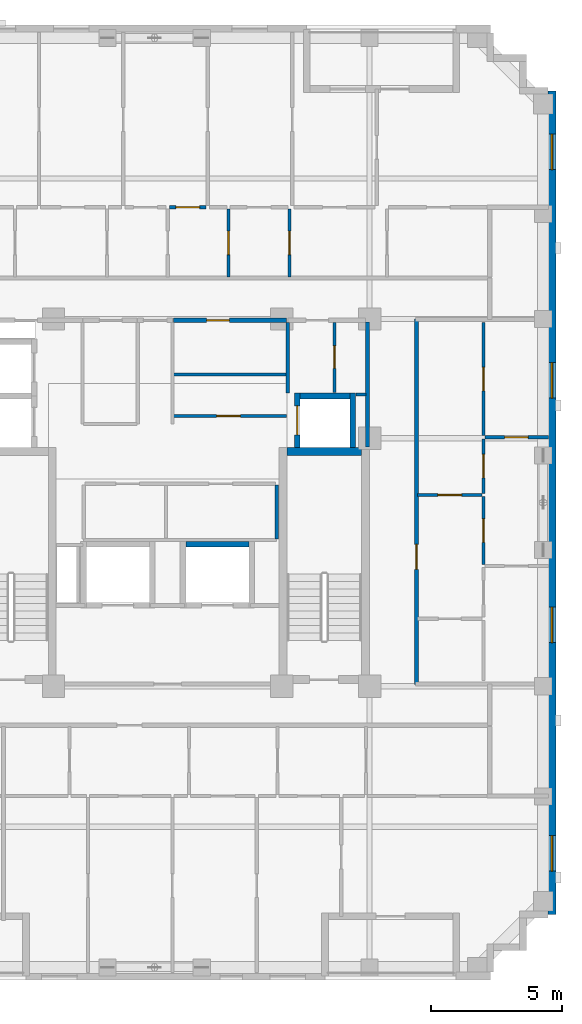
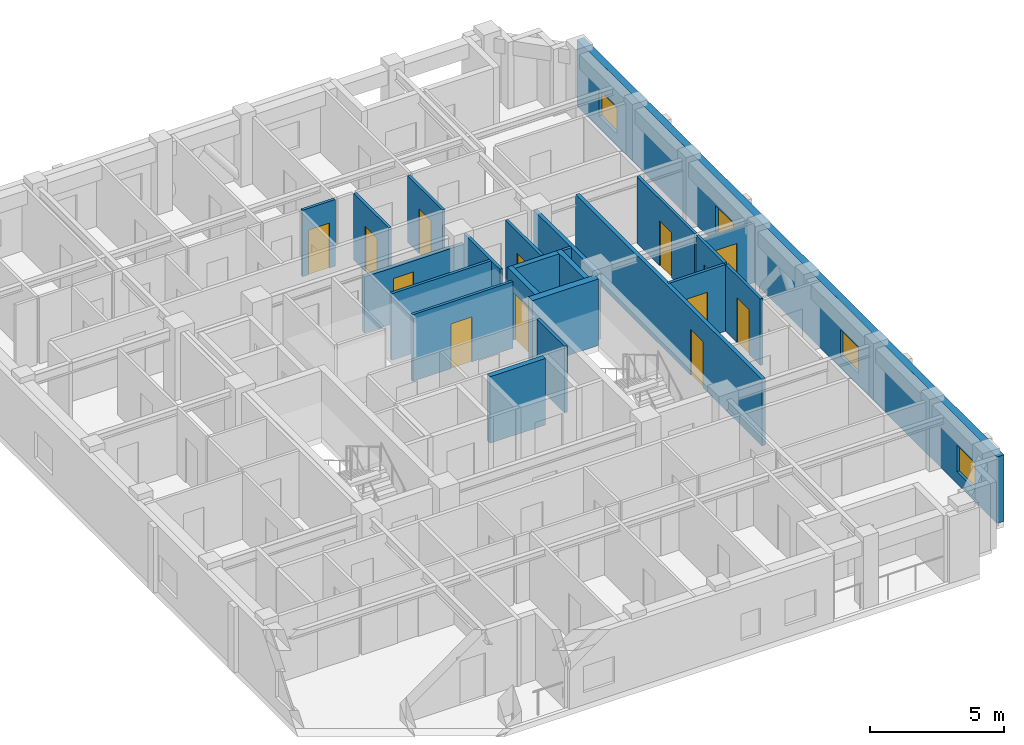
# One storey, part 6 of 11: 23 walls, 13 doors, 4 windows, 17 openings.
"""IFC4 building model written with IfcOpenShell, lengths in metres."""

from ifc_helpers import new_model, si_unit, derived_unit, direction, frame, frame_2d, origin, place, context, subcontext, project, spatial, rectangle, extrude, material, layer, layer_set, type_object, element, fill, save


model = new_model("IFC4")

# Units and contexts
model_context = context("Model", 3, precision=1e-05, world=origin(), true_north=direction((0.0, 1.0)))
body_context = subcontext(model_context, "Body", "Model", "MODEL_VIEW")
ifc_project = project(units=[si_unit("LENGTHUNIT", "METRE"), si_unit("AREAUNIT", "SQUARE_METRE"), si_unit("VOLUMEUNIT", "CUBIC_METRE"), si_unit("PLANEANGLEUNIT", "RADIAN"), si_unit("MASSUNIT", "GRAM", prefix="KILO"), derived_unit("THERMALTRANSMITTANCEUNIT", [(si_unit("MASSUNIT", "GRAM", prefix="KILO"), 1), (si_unit("TIMEUNIT", "SECOND"), -3), (si_unit("THERMODYNAMICTEMPERATUREUNIT", "KELVIN"), -1)])], contexts=[model_context])

# Site, building, storey
site_placement = place(None, origin())
site = spatial("IfcSite", under=ifc_project, at=site_placement, CompositionType="ELEMENT")
building_placement = place(site_placement, origin())
building = spatial("IfcBuilding", under=site, at=building_placement, Name="Korrvale Station Residences", CompositionType="ELEMENT")
storey_placement = place(building_placement, frame((0.0, 0.0, 194.199951171875)))
storey = spatial("IfcBuildingStorey", under=building, at=storey_placement, Name="L56", CompositionType="ELEMENT", Elevation=194.199951171875)

# Wall
ifc_material_1 = material(Name="Concrete C50/60", Category="concrete")
ifc_layer_1 = layer(ifc_material_1, 0.300048828125, Name="Concrete C50/60")
ifc_layer_set_1 = layer_set([ifc_layer_1], Name="Concrete C50/60")
wall_type_1 = type_object("IfcWallType", Name="WAL-CORE-300-C50", PredefinedType="SHEAR", material=ifc_layer_set_1)
wall_1_placement = place(storey_placement, frame((30.050048828125, 23.949951171875, 0.0), z_axis=(0.0, 0.0, 1.0), x_axis=(1.0, 0.0, 0.0)))
element("IfcWall", 1, at=wall_1_placement, inside=storey, type_object=wall_type_1, Name="L56 ST-2 Core Shear Wall North", PredefinedType="SHEAR", context=body_context, shape_type="SweptSolid", body=[
    extrude(rectangle(XDim=2.849853515625, YDim=0.300048828125, at=frame_2d((1.4248046875, 0.0))), origin(), (0.0, 0.0, 1.0), 3.0400390625),
])

# Wall, openings, windows
ifc_material_2 = material(Name="Precast concrete C45/55", Category="concrete")
ifc_layer_2 = layer(ifc_material_2, 0.300048828125, Name="Precast concrete C45/55")
ifc_layer_set_2 = layer_set([ifc_layer_2], Name="Precast concrete C45/55")
wall_type_2 = type_object("IfcWallType", Name="WAL-EXT-PC300", PredefinedType="SOLIDWALL", material=ifc_layer_set_2)
wall_2_placement = place(storey_placement, frame((40.14990234375, 37.699951171875, 0.0), z_axis=(0.0, 0.0, 1.0), x_axis=(0.0, -1.0, 0.0)))
wall_2 = element("IfcWall", 2, at=wall_2_placement, inside=storey, type_object=wall_type_2, Name="L56 East Exterior Precast Wall 1", PredefinedType="SOLIDWALL", context=body_context, shape_type="SweptSolid", body=[
    extrude(rectangle(XDim=31.39990234375, YDim=0.300048828125, at=frame_2d((15.699951171875, 0.0))), origin(), (0.0, 0.0, 1.0), 3.0400390625),
])
opening_1_placement = place(wall_2_placement, frame((28.39599609375, 0.0, 0.550048828125)))
opening_1 = element("IfcOpeningElement", 3, at=opening_1_placement, cuts=wall_2, Name="Opening W-10", PredefinedType="OPENING", context=body_context, shape_type="SweptSolid", body=[
    extrude(rectangle(XDim=1.35009765625, YDim=1.199951171875, at=frame_2d((0.675048828125, 0.60009765625))), frame((0.0, 0.16015625, 0.0), z_axis=(0.0, -1.0, 0.0), x_axis=(1.0, 0.0, 0.0)), (0.0, 0.0, 1.0), 0.320068359375),
])
opening_2_placement = place(wall_2_placement, frame((1.653076171875, 0.0, 0.550048828125)))
opening_2 = element("IfcOpeningElement", 4, at=opening_2_placement, cuts=wall_2, Name="Opening W-10", PredefinedType="OPENING", context=body_context, shape_type="SweptSolid", body=[
    extrude(rectangle(XDim=1.35009765625, YDim=1.199951171875, at=frame_2d((0.675048828125, 0.60009765625))), frame((0.0, 0.16015625, 0.0), z_axis=(0.0, -1.0, 0.0), x_axis=(1.0, 0.0, 0.0)), (0.0, 0.0, 1.0), 0.320068359375),
])
opening_3_placement = place(wall_2_placement, frame((19.68310546875, 0.0, 0.550048828125)))
opening_3 = element("IfcOpeningElement", 5, at=opening_3_placement, cuts=wall_2, Name="Opening W-10", PredefinedType="OPENING", context=body_context, shape_type="SweptSolid", body=[
    extrude(rectangle(XDim=1.35009765625, YDim=1.199951171875, at=frame_2d((0.675048828125, 0.60009765625))), frame((0.0, 0.16015625, 0.0), z_axis=(0.0, -1.0, 0.0), x_axis=(1.0, 0.0, 0.0)), (0.0, 0.0, 1.0), 0.320068359375),
])
opening_4_placement = place(wall_2_placement, frame((10.366943359375, 0.0, 0.550048828125)))
opening_4 = element("IfcOpeningElement", 6, at=opening_4_placement, cuts=wall_2, Name="Opening W-10", PredefinedType="OPENING", context=body_context, shape_type="SweptSolid", body=[
    extrude(rectangle(XDim=1.35009765625, YDim=1.199951171875, at=frame_2d((0.675048828125, 0.60009765625))), frame((0.0, 0.16015625, 0.0), z_axis=(0.0, -1.0, 0.0), x_axis=(1.0, 0.0, 0.0)), (0.0, 0.0, 1.0), 0.320068359375),
])
ifc_material_3 = material(Name="Thermally broken aluminium frame with triple low-e glazing", Category="aluminium")
window_type = type_object("IfcWindowType", Name="WIN-W10", PartitioningType="SINGLE_PANEL", PredefinedType="WINDOW", material=ifc_material_3)
window_1_placement = place(opening_1_placement, origin())
window_1 = element("IfcWindow", 7, at=window_1_placement, inside=storey, type_object=window_type, Name="L56 Punched Window 05", OverallHeight=1.199951171875, OverallWidth=1.35009765625, PartitioningType="SINGLE_PANEL", PredefinedType="WINDOW", context=body_context, shape_type="SweptSolid", body=[
    extrude(rectangle(XDim=1.35009765625, YDim=1.199951171875, at=frame_2d((0.675048828125, 0.60009765625))), frame((0.0, 0.030029296875, 0.0), z_axis=(0.0, -1.0, 0.0), x_axis=(1.0, 0.0, 0.0)), (0.0, 0.0, 1.0), 0.06005859375),
])
fill(opening_1, window_1)
window_2_placement = place(opening_2_placement, origin())
window_2 = element("IfcWindow", 8, at=window_2_placement, inside=storey, type_object=window_type, Name="L56 Punched Window 12", OverallHeight=1.199951171875, OverallWidth=1.35009765625, PartitioningType="SINGLE_PANEL", PredefinedType="WINDOW", context=body_context, shape_type="SweptSolid", body=[
    extrude(rectangle(XDim=1.35009765625, YDim=1.199951171875, at=frame_2d((0.675048828125, 0.60009765625))), frame((0.0, 0.030029296875, 0.0), z_axis=(0.0, -1.0, 0.0), x_axis=(1.0, 0.0, 0.0)), (0.0, 0.0, 1.0), 0.06005859375),
])
fill(opening_2, window_2)
window_3_placement = place(opening_3_placement, origin())
window_3 = element("IfcWindow", 9, at=window_3_placement, inside=storey, type_object=window_type, Name="L56 Punched Window 15", OverallHeight=1.199951171875, OverallWidth=1.35009765625, PartitioningType="SINGLE_PANEL", PredefinedType="WINDOW", context=body_context, shape_type="SweptSolid", body=[
    extrude(rectangle(XDim=1.35009765625, YDim=1.199951171875, at=frame_2d((0.675048828125, 0.60009765625))), frame((0.0, 0.030029296875, 0.0), z_axis=(0.0, -1.0, 0.0), x_axis=(1.0, 0.0, 0.0)), (0.0, 0.0, 1.0), 0.06005859375),
])
fill(opening_3, window_3)
window_4_placement = place(opening_4_placement, origin())
window_4 = element("IfcWindow", 10, at=window_4_placement, inside=storey, type_object=window_type, Name="L56 Punched Window 16", OverallHeight=1.199951171875, OverallWidth=1.35009765625, PartitioningType="SINGLE_PANEL", PredefinedType="WINDOW", context=body_context, shape_type="SweptSolid", body=[
    extrude(rectangle(XDim=1.35009765625, YDim=1.199951171875, at=frame_2d((0.675048828125, 0.60009765625))), frame((0.0, 0.030029296875, 0.0), z_axis=(0.0, -1.0, 0.0), x_axis=(1.0, 0.0, 0.0)), (0.0, 0.0, 1.0), 0.06005859375),
])
fill(opening_4, window_4)

# Walls
ifc_material_4 = material(Name="Acoustic steel-stud gypsum board partition", Category="steel")
ifc_layer_3 = layer(ifc_material_4, 0.1201171875, Name="Acoustic steel-stud gypsum board partition")
ifc_layer_set_3 = layer_set([ifc_layer_3], Name="Acoustic steel-stud gypsum board partition")
wall_type_3 = type_object("IfcWallType", Name="WAL-PART-125", PredefinedType="PARTITIONING", material=ifc_layer_set_3)
wall_3_placement = place(storey_placement, frame((30.080078125, 26.179931640625, 0.0), z_axis=(0.0, 0.0, 1.0), x_axis=(0.0, 1.0, 0.0)))
element("IfcWall", 11, at=wall_3_placement, inside=storey, type_object=wall_type_3, Name="L56 Core Partition CW-CS-W", PredefinedType="PARTITIONING", context=body_context, shape_type="SweptSolid", body=[
    extrude(rectangle(XDim=2.68017578125, YDim=0.1201171875, at=frame_2d((1.340087890625, 0.0))), origin(), (0.0, 0.0, 1.0), 3.0400390625),
])
wall_4_placement = place(storey_placement, frame((32.679931640625, 26.1201171875, 0.0), z_axis=(0.0, 0.0, 1.0), x_axis=(1.0, 0.0, 0.0)))
element("IfcWall", 12, at=wall_4_placement, inside=storey, type_object=wall_type_3, Name="L56 Core Partition CW-CS-S", PredefinedType="PARTITIONING", context=body_context, shape_type="SweptSolid", body=[
    extrude(rectangle(XDim=0.380126953125, YDim=0.1201171875, at=frame_2d((0.18994140625, 0.0))), origin(), (0.0, 0.0, 1.0), 3.0400390625),
])

# Wall, opening, door
wall_5_placement = place(storey_placement, frame((31.860107421875, 26.199951171875, 0.0), z_axis=(0.0, 0.0, 1.0), x_axis=(0.0, 1.0, 0.0)))
wall_5 = element("IfcWall", 13, at=wall_5_placement, inside=storey, type_object=wall_type_3, Name="L56 Core Partition CW-CS-MID", PredefinedType="PARTITIONING", context=body_context, shape_type="SweptSolid", body=[
    extrude(rectangle(XDim=2.66015625, YDim=0.1201171875, at=frame_2d((1.330078125, 0.0))), origin(), (0.0, 0.0, 1.0), 3.0400390625),
])
opening_5_placement = place(wall_5_placement, frame((0.919921875, 0.0, 0.0)))
opening_5 = element("IfcOpeningElement", 14, at=opening_5_placement, cuts=wall_5, Name="Opening DB-860", PredefinedType="OPENING", context=body_context, shape_type="SweptSolid", body=[
    extrude(rectangle(XDim=0.860107421875, YDim=2.050048828125, at=frame_2d((0.43017578125, 1.02490234375))), frame((0.0, 0.070068359375, 0.0), z_axis=(0.0, -1.0, 0.0), x_axis=(1.0, 0.0, 0.0)), (0.0, 0.0, 1.0), 0.14013671875),
])
ifc_material_5 = material(Name="Moisture-resistant solid-core bathroom door", Category="timber")
door_type_1 = type_object("IfcDoorType", Name="DR-BATH-860", OperationType="NOTDEFINED", PredefinedType="DOOR", material=ifc_material_5)
door_1_placement = place(opening_5_placement, origin())
door_1 = element("IfcDoor", 15, at=door_1_placement, inside=storey, type_object=door_type_1, Name="L56 Metering Inner Door", OperationType="SINGLE_SWING_RIGHT", OverallHeight=2.050048828125, OverallWidth=0.860107421875, PredefinedType="DOOR", context=body_context, shape_type="SweptSolid", body=[
    extrude(rectangle(XDim=0.860107421875, YDim=2.050048828125, at=frame_2d((0.43017578125, 1.02490234375))), frame((0.0, 0.02490234375, 0.0), z_axis=(0.0, -1.0, 0.0), x_axis=(1.0, 0.0, 0.0)), (0.0, 0.0, 1.0), 0.050048828125),
])
fill(opening_5, door_1)

# Wall
wall_6_placement = place(storey_placement, frame((25.719970703125, 26.8798828125, 0.0), z_axis=(0.0, 0.0, 1.0), x_axis=(1.0, 0.0, 0.0)))
element("IfcWall", 16, at=wall_6_placement, inside=storey, type_object=wall_type_3, Name="L56 Core Partition CW-FPLE-H", PredefinedType="PARTITIONING", context=body_context, shape_type="SweptSolid", body=[
    extrude(rectangle(XDim=4.320068359375, YDim=0.1201171875, at=frame_2d((2.16015625, 0.0))), origin(), (0.0, 0.0, 1.0), 3.0400390625),
])

# Wall, opening, door
wall_7_placement = place(storey_placement, frame((25.719970703125, 25.300048828125, 0.0), z_axis=(0.0, 0.0, 1.0), x_axis=(1.0, 0.0, 0.0)))
wall_7 = element("IfcWall", 17, at=wall_7_placement, inside=storey, type_object=wall_type_3, Name="L56 Core Partition CW-FPLE-S", PredefinedType="PARTITIONING", context=body_context, shape_type="SweptSolid", body=[
    extrude(rectangle(XDim=4.320068359375, YDim=0.1201171875, at=frame_2d((2.16015625, 0.0))), origin(), (0.0, 0.0, 1.0), 3.0400390625),
])
opening_6_placement = place(wall_7_placement, frame((1.64990234375, 0.0, 0.0)))
opening_6 = element("IfcOpeningElement", 18, at=opening_6_placement, cuts=wall_7, Name="Opening DI-900", PredefinedType="OPENING", context=body_context, shape_type="SweptSolid", body=[
    extrude(rectangle(XDim=0.89990234375, YDim=2.050048828125, at=frame_2d((0.449951171875, 1.02490234375))), frame((0.0, 0.070068359375, 0.0), z_axis=(0.0, -1.0, 0.0), x_axis=(1.0, 0.0, 0.0)), (0.0, 0.0, 1.0), 0.14013671875),
])
ifc_material_6 = material(Name="Painted solid-core timber interior room door", Category="wood")
door_type_2 = type_object("IfcDoorType", Name="DR-INT-900", OperationType="NOTDEFINED", PredefinedType="DOOR", material=ifc_material_6)
door_2_placement = place(opening_6_placement, origin())
door_2 = element("IfcDoor", 19, at=door_2_placement, inside=storey, type_object=door_type_2, Name="L56 Housekeeping Linen Door", OperationType="SINGLE_SWING_LEFT", OverallHeight=2.050048828125, OverallWidth=0.89990234375, PredefinedType="DOOR", context=body_context, shape_type="SweptSolid", body=[
    extrude(rectangle(XDim=0.89990234375, YDim=2.050048828125, at=frame_2d((0.449951171875, 1.02490234375))), frame((0.0, 0.02490234375, 0.0), z_axis=(0.0, -1.0, 0.0), x_axis=(1.0, 0.0, 0.0)), (0.0, 0.0, 1.0), 0.050048828125),
])
fill(opening_6, door_2)

# Wall
wall_8_placement = place(storey_placement, frame((29.659912109375, 20.6201171875, 0.0), z_axis=(0.0, 0.0, 1.0), x_axis=(0.0, 1.0, 0.0)))
element("IfcWall", 20, at=wall_8_placement, inside=storey, type_object=wall_type_3, Name="L56 Core Partition CW-FPM-E", PredefinedType="PARTITIONING", context=body_context, shape_type="SweptSolid", body=[
    extrude(rectangle(XDim=2.059814453125, YDim=0.1201171875, at=frame_2d((1.02978515625, 0.0))), origin(), (0.0, 0.0, 1.0), 3.0400390625),
])

# Wall, opening, door
wall_9_placement = place(storey_placement, frame((27.824951171875, 30.60009765625, 0.0), z_axis=(0.0, 0.0, 1.0), x_axis=(0.0, 1.0, 0.0)))
wall_9 = element("IfcWall", 21, at=wall_9_placement, inside=storey, type_object=wall_type_3, Name="L56 Suite Partition U03-V45", PredefinedType="PARTITIONING", context=body_context, shape_type="SweptSolid", body=[
    extrude(rectangle(XDim=2.599853515625, YDim=0.1201171875, at=frame_2d((1.2998046875, 0.0))), origin(), (0.0, 0.0, 1.0), 3.0400390625),
])
opening_7_placement = place(wall_9_placement, frame((0.85009765625, 0.0, 0.0)))
opening_7 = element("IfcOpeningElement", 22, at=opening_7_placement, cuts=wall_9, Name="Opening DI-900", PredefinedType="OPENING", context=body_context, shape_type="SweptSolid", body=[
    extrude(rectangle(XDim=0.89990234375, YDim=2.050048828125, at=frame_2d((0.449951171875, 1.02490234375))), frame((0.0, 0.070068359375, 0.0), z_axis=(0.0, -1.0, 0.0), x_axis=(1.0, 0.0, 0.0)), (0.0, 0.0, 1.0), 0.14013671875),
])
door_3_placement = place(opening_7_placement, origin())
door_3 = element("IfcDoor", 23, at=door_3_placement, inside=storey, type_object=door_type_2, Name="L56 Studio Apartment L56-U03 Wardrobe Storage Room Door", OperationType="SINGLE_SWING_LEFT", OverallHeight=2.050048828125, OverallWidth=0.89990234375, PredefinedType="DOOR", context=body_context, shape_type="SweptSolid", body=[
    extrude(rectangle(XDim=0.89990234375, YDim=2.050048828125, at=frame_2d((0.449951171875, 1.02490234375))), frame((0.0, 0.02490234375, 0.0), z_axis=(0.0, -1.0, 0.0), x_axis=(1.0, 0.0, 0.0)), (0.0, 0.0, 1.0), 0.050048828125),
])
fill(opening_7, door_3)

wall_10_placement = place(storey_placement, frame((25.56494140625, 33.260009765625, 0.0), z_axis=(0.0, 0.0, 1.0), x_axis=(1.0, 0.0, 0.0)))
wall_10 = element("IfcWall", 24, at=wall_10_placement, inside=storey, type_object=wall_type_3, Name="L56 Suite Partition U03-H412", PredefinedType="PARTITIONING", context=body_context, shape_type="SweptSolid", body=[
    extrude(rectangle(XDim=1.405029296875, YDim=0.1201171875, at=frame_2d((0.70263671875, 0.0))), origin(), (0.0, 0.0, 1.0), 3.0400390625),
])
opening_8_placement = place(wall_10_placement, frame((0.251953125, 0.0, 0.0)))
opening_8 = element("IfcOpeningElement", 25, at=opening_8_placement, cuts=wall_10, Name="Opening DI-900", PredefinedType="OPENING", context=body_context, shape_type="SweptSolid", body=[
    extrude(rectangle(XDim=0.89990234375, YDim=2.050048828125, at=frame_2d((0.449951171875, 1.02490234375))), frame((0.0, 0.070068359375, 0.0), z_axis=(0.0, -1.0, 0.0), x_axis=(1.0, 0.0, 0.0)), (0.0, 0.0, 1.0), 0.14013671875),
])
door_4_placement = place(opening_8_placement, origin())
door_4 = element("IfcDoor", 26, at=door_4_placement, inside=storey, type_object=door_type_2, Name="L56 Studio Apartment L56-U03 Wardrobe Storage Room Door", OperationType="SINGLE_SWING_RIGHT", OverallHeight=2.050048828125, OverallWidth=0.89990234375, PredefinedType="DOOR", context=body_context, shape_type="SweptSolid", body=[
    extrude(rectangle(XDim=0.89990234375, YDim=2.050048828125, at=frame_2d((0.449951171875, 1.02490234375))), frame((0.0, 0.02490234375, 0.0), z_axis=(0.0, -1.0, 0.0), x_axis=(1.0, 0.0, 0.0)), (0.0, 0.0, 1.0), 0.050048828125),
])
fill(opening_8, door_4)

wall_11_placement = place(storey_placement, frame((30.14501953125, 30.60009765625, 0.0), z_axis=(0.0, 0.0, 1.0), x_axis=(0.0, 1.0, 0.0)))
wall_11 = element("IfcWall", 27, at=wall_11_placement, inside=storey, type_object=wall_type_3, Name="L56 Suite Partition U03-V56", PredefinedType="PARTITIONING", context=body_context, shape_type="SweptSolid", body=[
    extrude(rectangle(XDim=2.599853515625, YDim=0.1201171875, at=frame_2d((1.2998046875, 0.0))), origin(), (0.0, 0.0, 1.0), 3.0400390625),
])
opening_9_placement = place(wall_11_placement, frame((0.85009765625, 0.0, 0.0)))
opening_9 = element("IfcOpeningElement", 28, at=opening_9_placement, cuts=wall_11, Name="Opening DI-900", PredefinedType="OPENING", context=body_context, shape_type="SweptSolid", body=[
    extrude(rectangle(XDim=0.89990234375, YDim=2.050048828125, at=frame_2d((0.449951171875, 1.02490234375))), frame((0.0, 0.070068359375, 0.0), z_axis=(0.0, -1.0, 0.0), x_axis=(1.0, 0.0, 0.0)), (0.0, 0.0, 1.0), 0.14013671875),
])
door_5_placement = place(opening_9_placement, origin())
door_5 = element("IfcDoor", 29, at=door_5_placement, inside=storey, type_object=door_type_2, Name="L56 Studio Apartment L56-U03 Wardrobe Storage Room Door", OperationType="SINGLE_SWING_LEFT", OverallHeight=2.050048828125, OverallWidth=0.89990234375, PredefinedType="DOOR", context=body_context, shape_type="SweptSolid", body=[
    extrude(rectangle(XDim=0.89990234375, YDim=2.050048828125, at=frame_2d((0.449951171875, 1.02490234375))), frame((0.0, 0.02490234375, 0.0), z_axis=(0.0, -1.0, 0.0), x_axis=(1.0, 0.0, 0.0)), (0.0, 0.0, 1.0), 0.050048828125),
])
fill(opening_9, door_5)

wall_12_placement = place(storey_placement, frame((35.030029296875, 22.2900390625, 0.0), z_axis=(0.0, 0.0, 1.0), x_axis=(1.0, 0.0, 0.0)))
wall_12 = element("IfcWall", 30, at=wall_12_placement, inside=storey, type_object=wall_type_3, Name="L56 Suite Partition U05-H02", PredefinedType="PARTITIONING", context=body_context, shape_type="SweptSolid", body=[
    extrude(rectangle(XDim=2.449951171875, YDim=0.1201171875, at=frame_2d((1.22509765625, 0.0))), origin(), (0.0, 0.0, 1.0), 3.0400390625),
])
opening_10_placement = place(wall_12_placement, frame((0.77490234375, 0.0, 0.0)))
opening_10 = element("IfcOpeningElement", 31, at=opening_10_placement, cuts=wall_12, Name="Opening DI-900", PredefinedType="OPENING", context=body_context, shape_type="SweptSolid", body=[
    extrude(rectangle(XDim=0.89990234375, YDim=2.050048828125, at=frame_2d((0.449951171875, 1.02490234375))), frame((0.0, 0.070068359375, 0.0), z_axis=(0.0, -1.0, 0.0), x_axis=(1.0, 0.0, 0.0)), (0.0, 0.0, 1.0), 0.14013671875),
])
door_6_placement = place(opening_10_placement, origin())
door_6 = element("IfcDoor", 32, at=door_6_placement, inside=storey, type_object=door_type_2, Name="L56 Apartment 2BR L56-U05 Wardrobe Storage Room Door", OperationType="SINGLE_SWING_RIGHT", OverallHeight=2.050048828125, OverallWidth=0.89990234375, PredefinedType="DOOR", context=body_context, shape_type="SweptSolid", body=[
    extrude(rectangle(XDim=0.89990234375, YDim=2.050048828125, at=frame_2d((0.449951171875, 1.02490234375))), frame((0.0, 0.02490234375, 0.0), z_axis=(0.0, -1.0, 0.0), x_axis=(1.0, 0.0, 0.0)), (0.0, 0.0, 1.0), 0.050048828125),
])
fill(opening_10, door_6)

wall_13_placement = place(storey_placement, frame((37.5400390625, 22.35009765625, 0.0), z_axis=(0.0, 0.0, 1.0), x_axis=(0.0, 1.0, 0.0)))
wall_13 = element("IfcWall", 33, at=wall_13_placement, inside=storey, type_object=wall_type_3, Name="L56 Suite Partition U05-V04", PredefinedType="PARTITIONING", context=body_context, shape_type="SweptSolid", body=[
    extrude(rectangle(XDim=2.081787109375, YDim=0.1201171875, at=frame_2d((1.041015625, 0.0))), origin(), (0.0, 0.0, 1.0), 3.0400390625),
])
opening_11_placement = place(wall_13_placement, frame((0.591064453125, 0.0, 0.0)))
opening_11 = element("IfcOpeningElement", 34, at=opening_11_placement, cuts=wall_13, Name="Opening DI-900", PredefinedType="OPENING", context=body_context, shape_type="SweptSolid", body=[
    extrude(rectangle(XDim=0.89990234375, YDim=2.050048828125, at=frame_2d((0.449951171875, 1.02490234375))), frame((0.0, 0.070068359375, 0.0), z_axis=(0.0, -1.0, 0.0), x_axis=(1.0, 0.0, 0.0)), (0.0, 0.0, 1.0), 0.14013671875),
])
door_7_placement = place(opening_11_placement, origin())
door_7 = element("IfcDoor", 35, at=door_7_placement, inside=storey, type_object=door_type_2, Name="L56 Apartment 2BR L56-U05 Wardrobe Storage Room Door", OperationType="SINGLE_SWING_LEFT", OverallHeight=2.050048828125, OverallWidth=0.89990234375, PredefinedType="DOOR", context=body_context, shape_type="SweptSolid", body=[
    extrude(rectangle(XDim=0.89990234375, YDim=2.050048828125, at=frame_2d((0.449951171875, 1.02490234375))), frame((0.0, 0.02490234375, 0.0), z_axis=(0.0, -1.0, 0.0), x_axis=(1.0, 0.0, 0.0)), (0.0, 0.0, 1.0), 0.050048828125),
])
fill(opening_11, door_7)

wall_14_placement = place(storey_placement, frame((37.5400390625, 24.552001953125, 0.0), z_axis=(0.0, 0.0, 1.0), x_axis=(0.0, 1.0, 0.0)))
wall_14 = element("IfcWall", 36, at=wall_14_placement, inside=storey, type_object=wall_type_3, Name="L56 Suite Partition U05-V05", PredefinedType="PARTITIONING", context=body_context, shape_type="SweptSolid", body=[
    extrude(rectangle(XDim=4.30810546875, YDim=0.1201171875, at=frame_2d((2.154052734375, 0.0))), origin(), (0.0, 0.0, 1.0), 3.0400390625),
])
opening_12_placement = place(wall_14_placement, frame((1.7041015625, 0.0, 0.0)))
opening_12 = element("IfcOpeningElement", 37, at=opening_12_placement, cuts=wall_14, Name="Opening DI-900", PredefinedType="OPENING", context=body_context, shape_type="SweptSolid", body=[
    extrude(rectangle(XDim=0.89990234375, YDim=2.050048828125, at=frame_2d((0.449951171875, 1.02490234375))), frame((0.0, 0.070068359375, 0.0), z_axis=(0.0, -1.0, 0.0), x_axis=(1.0, 0.0, 0.0)), (0.0, 0.0, 1.0), 0.14013671875),
])
door_8_placement = place(opening_12_placement, origin())
door_8 = element("IfcDoor", 38, at=door_8_placement, inside=storey, type_object=door_type_2, Name="L56 Apartment 2BR L56-U05 Wardrobe Storage Room Door", OperationType="SINGLE_SWING_RIGHT", OverallHeight=2.050048828125, OverallWidth=0.89990234375, PredefinedType="DOOR", context=body_context, shape_type="SweptSolid", body=[
    extrude(rectangle(XDim=0.89990234375, YDim=2.050048828125, at=frame_2d((0.449951171875, 1.02490234375))), frame((0.0, 0.02490234375, 0.0), z_axis=(0.0, -1.0, 0.0), x_axis=(1.0, 0.0, 0.0)), (0.0, 0.0, 1.0), 0.050048828125),
])
fill(opening_12, door_8)

wall_15_placement = place(storey_placement, frame((37.5400390625, 19.637939453125, 0.0), z_axis=(0.0, 0.0, 1.0), x_axis=(0.0, 1.0, 0.0)))
wall_15 = element("IfcWall", 39, at=wall_15_placement, inside=storey, type_object=wall_type_3, Name="L56 Suite Partition U05-V24", PredefinedType="PARTITIONING", context=body_context, shape_type="SweptSolid", body=[
    extrude(rectangle(XDim=2.592041015625, YDim=0.1201171875, at=frame_2d((1.2958984375, 0.0))), origin(), (0.0, 0.0, 1.0), 3.0400390625),
])
opening_13_placement = place(wall_15_placement, frame((0.845947265625, 0.0, 0.0)))
opening_13 = element("IfcOpeningElement", 40, at=opening_13_placement, cuts=wall_15, Name="Opening DI-900", PredefinedType="OPENING", context=body_context, shape_type="SweptSolid", body=[
    extrude(rectangle(XDim=0.89990234375, YDim=2.050048828125, at=frame_2d((0.449951171875, 1.02490234375))), frame((0.0, 0.070068359375, 0.0), z_axis=(0.0, -1.0, 0.0), x_axis=(1.0, 0.0, 0.0)), (0.0, 0.0, 1.0), 0.14013671875),
])
door_9_placement = place(opening_13_placement, origin())
door_9 = element("IfcDoor", 41, at=door_9_placement, inside=storey, type_object=door_type_2, Name="L56 Apartment 2BR L56-U05 Kitchen Door", OperationType="SINGLE_SWING_LEFT", OverallHeight=2.050048828125, OverallWidth=0.89990234375, PredefinedType="DOOR", context=body_context, shape_type="SweptSolid", body=[
    extrude(rectangle(XDim=0.89990234375, YDim=2.050048828125, at=frame_2d((0.449951171875, 1.02490234375))), frame((0.0, 0.02490234375, 0.0), z_axis=(0.0, -1.0, 0.0), x_axis=(1.0, 0.0, 0.0)), (0.0, 0.0, 1.0), 0.050048828125),
])
fill(opening_13, door_9)

wall_16_placement = place(storey_placement, frame((37.60009765625, 24.491943359375, 0.0), z_axis=(0.0, 0.0, 1.0), x_axis=(1.0, 0.0, 0.0)))
wall_16 = element("IfcWall", 42, at=wall_16_placement, inside=storey, type_object=wall_type_3, Name="L56 Suite Partition U05-H45", PredefinedType="PARTITIONING", context=body_context, shape_type="SweptSolid", body=[
    extrude(rectangle(XDim=2.419921875, YDim=0.1201171875, at=frame_2d((1.2099609375, 0.0))), origin(), (0.0, 0.0, 1.0), 2.72216796875),
])
opening_14_placement = place(wall_16_placement, frame((0.7451171875, 0.0, 0.0)))
opening_14 = element("IfcOpeningElement", 43, at=opening_14_placement, cuts=wall_16, Name="Opening DI-900", PredefinedType="OPENING", context=body_context, shape_type="SweptSolid", body=[
    extrude(rectangle(XDim=0.89990234375, YDim=2.050048828125, at=frame_2d((0.449951171875, 1.02490234375))), frame((0.0, 0.070068359375, 0.0), z_axis=(0.0, -1.0, 0.0), x_axis=(1.0, 0.0, 0.0)), (0.0, 0.0, 1.0), 0.14013671875),
])
door_10_placement = place(opening_14_placement, origin())
door_10 = element("IfcDoor", 44, at=door_10_placement, inside=storey, type_object=door_type_2, Name="L56 Apartment 2BR L56-U05 Living and Dining Room Door", OperationType="SINGLE_SWING_LEFT", OverallHeight=2.050048828125, OverallWidth=0.89990234375, PredefinedType="DOOR", context=body_context, shape_type="SweptSolid", body=[
    extrude(rectangle(XDim=0.89990234375, YDim=2.050048828125, at=frame_2d((0.449951171875, 1.02490234375))), frame((0.0, 0.02490234375, 0.0), z_axis=(0.0, -1.0, 0.0), x_axis=(1.0, 0.0, 0.0)), (0.0, 0.0, 1.0), 0.050048828125),
])
fill(opening_14, door_10)

# Wall
ifc_material_7 = material(Name="Fire-rated twin-stud gypsum and mineral wool shaftwall assembly", Category="gypsum")
ifc_layer_4 = layer(ifc_material_7, 0.159912109375, Name="Fire-rated twin-stud gypsum and mineral wool shaftwall assembly")
ifc_layer_set_4 = layer_set([ifc_layer_4], Name="Fire-rated twin-stud gypsum and mineral wool shaftwall assembly")
wall_type_4 = type_object("IfcWallType", Name="WAL-PART-200", PredefinedType="PARTITIONING", material=ifc_layer_set_4)
wall_17_placement = place(storey_placement, frame((33.1201171875, 24.1201171875, 0.0), z_axis=(0.0, 0.0, 1.0), x_axis=(0.0, 1.0, 0.0)))
element("IfcWall", 45, at=wall_17_placement, inside=storey, type_object=wall_type_4, Name="L56 Core Partition CW-E-N", PredefinedType="PARTITIONING", context=body_context, shape_type="SweptSolid", body=[
    extrude(rectangle(XDim=4.759765625, YDim=0.159912109375, at=frame_2d((2.3798828125, 0.0))), origin(), (0.0, 0.0, 1.0), 3.0400390625),
])

# Wall, opening, door
wall_18_placement = place(storey_placement, frame((25.719970703125, 28.949951171875, 0.0), z_axis=(0.0, 0.0, 1.0), x_axis=(1.0, 0.0, 0.0)))
wall_18 = element("IfcWall", 46, at=wall_18_placement, inside=storey, type_object=wall_type_4, Name="L56 Core Partition CW-FPLE-N", PredefinedType="PARTITIONING", context=body_context, shape_type="SweptSolid", body=[
    extrude(rectangle(XDim=4.320068359375, YDim=0.159912109375, at=frame_2d((2.16015625, 0.0))), origin(), (0.0, 0.0, 1.0), 2.55615234375),
])
opening_15_placement = place(wall_18_placement, frame((1.27001953125, 0.0, 0.0)))
opening_15 = element("IfcOpeningElement", 47, at=opening_15_placement, cuts=wall_18, Name="Opening DB-860", PredefinedType="OPENING", context=body_context, shape_type="SweptSolid", body=[
    extrude(rectangle(XDim=0.860107421875, YDim=2.050048828125, at=frame_2d((0.43017578125, 1.02490234375))), frame((0.0, 0.08984375, 0.0), z_axis=(0.0, -1.0, 0.0), x_axis=(1.0, 0.0, 0.0)), (0.0, 0.0, 1.0), 0.179931640625),
])
door_11_placement = place(opening_15_placement, origin())
door_11 = element("IfcDoor", 48, at=door_11_placement, inside=storey, type_object=door_type_1, Name="L56 Luggage Store Door", OperationType="SINGLE_SWING_RIGHT", OverallHeight=2.050048828125, OverallWidth=0.860107421875, PredefinedType="DOOR", context=body_context, shape_type="SweptSolid", body=[
    extrude(rectangle(XDim=0.860107421875, YDim=2.050048828125, at=frame_2d((0.43017578125, 1.02490234375))), frame((0.0, 0.02490234375, 0.0), z_axis=(0.0, -1.0, 0.0), x_axis=(1.0, 0.0, 0.0)), (0.0, 0.0, 1.0), 0.050048828125),
])
fill(opening_15, door_11)

wall_19_placement = place(storey_placement, frame((34.989990234375, 15.070068359375, 0.0), z_axis=(0.0, 0.0, 1.0), x_axis=(0.0, 1.0, 0.0)))
wall_19 = element("IfcWall", 49, at=wall_19_placement, inside=storey, type_object=wall_type_4, Name="L56 Rated Corridor Wall E", PredefinedType="PARTITIONING", context=body_context, shape_type="SweptSolid", body=[
    extrude(rectangle(XDim=13.929931640625, YDim=0.159912109375, at=frame_2d((6.96484375, 0.0))), origin(), (0.0, 0.0, 1.0), 3.0400390625),
])
opening_16_placement = place(wall_19_placement, frame((4.385009765625, 0.0, 0.0)))
opening_16 = element("IfcOpeningElement", 50, at=opening_16_placement, cuts=wall_19, Name="Opening UD-950", PredefinedType="OPENING", context=body_context, shape_type="SweptSolid", body=[
    extrude(rectangle(XDim=0.949951171875, YDim=2.10009765625, at=frame_2d((0.47509765625, 1.050048828125))), frame((0.0, 0.08984375, 0.0), z_axis=(0.0, -1.0, 0.0), x_axis=(1.0, 0.0, 0.0)), (0.0, 0.0, 1.0), 0.179931640625),
])
ifc_material_8 = material(Name="Solid-core acoustic oak apartment entrance door", Category="timber")
door_type_3 = type_object("IfcDoorType", Name="DR-UNIT-950", OperationType="NOTDEFINED", PredefinedType="DOOR", material=ifc_material_8)
door_12_placement = place(opening_16_placement, origin())
door_12 = element("IfcDoor", 51, at=door_12_placement, inside=storey, type_object=door_type_3, Name="L56 Apartment L56-U05 Entrance Door", OperationType="SINGLE_SWING_LEFT", OverallHeight=2.10009765625, OverallWidth=0.949951171875, PredefinedType="DOOR", context=body_context, shape_type="SweptSolid", body=[
    extrude(rectangle(XDim=0.949951171875, YDim=2.10009765625, at=frame_2d((0.47509765625, 1.050048828125))), frame((0.0, 0.02490234375, 0.0), z_axis=(0.0, -1.0, 0.0), x_axis=(1.0, 0.0, 0.0)), (0.0, 0.0, 1.0), 0.050048828125),
])
fill(opening_16, door_12)

# Wall
ifc_layer_5 = layer(ifc_material_1, 0.219970703125, Name="Concrete C50/60")
ifc_layer_set_5 = layer_set([ifc_layer_5], Name="Concrete C50/60")
wall_type_5 = type_object("IfcWallType", Name="WAL-SHAFT-220-C50", PredefinedType="SHEAR", material=ifc_layer_set_5)
wall_20_placement = place(storey_placement, frame((30.550048828125, 26.06005859375, 0.0), z_axis=(0.0, 0.0, 1.0), x_axis=(1.0, 0.0, 0.0)))
element("IfcWall", 52, at=wall_20_placement, inside=storey, type_object=wall_type_5, Name="L56 Elevator PH-3 Hoistway Wall North", PredefinedType="SHEAR", context=body_context, shape_type="SweptSolid", body=[
    extrude(rectangle(XDim=1.89990234375, YDim=0.219970703125, at=frame_2d((0.949951171875, 0.0))), origin(), (0.0, 0.0, 1.0), 3.0400390625),
])

# Wall, opening, door
wall_21_placement = place(storey_placement, frame((30.43994140625, 24.10009765625, 0.0), z_axis=(0.0, 0.0, 1.0), x_axis=(0.0, 1.0, 0.0)))
wall_21 = element("IfcWall", 53, at=wall_21_placement, inside=storey, type_object=wall_type_5, Name="L56 Elevator PH-3 Hoistway Wall West", PredefinedType="SHEAR", context=body_context, shape_type="SweptSolid", body=[
    extrude(rectangle(XDim=2.06982421875, YDim=0.219970703125, at=frame_2d((1.034912109375, 0.0))), origin(), (0.0, 0.0, 1.0), 3.0400390625),
])
opening_17_placement = place(wall_21_placement, frame((0.485107421875, 0.0, 0.0)))
opening_17 = element("IfcOpeningElement", 54, at=opening_17_placement, cuts=wall_21, Name="Opening LD-1100", PredefinedType="OPENING", context=body_context, shape_type="SweptSolid", body=[
    extrude(rectangle(XDim=1.10009765625, YDim=2.14990234375, at=frame_2d((0.550048828125, 1.074951171875))), frame((0.0, 0.1201171875, 0.0), z_axis=(0.0, -1.0, 0.0), x_axis=(1.0, 0.0, 0.0)), (0.0, 0.0, 1.0), 0.239990234375),
])
ifc_material_9 = material(Name="Brushed stainless-steel elevator landing sliding door", Category="steel")
door_type_4 = type_object("IfcDoorType", Name="DR-LIFT-1100", OperationType="SLIDING_TO_LEFT", PredefinedType="DOOR", material=ifc_material_9)
door_13_placement = place(opening_17_placement, origin())
door_13 = element("IfcDoor", 55, at=door_13_placement, inside=storey, type_object=door_type_4, Name="L56 Elevator PH-3 Sliding Landing Door", OperationType="SLIDING_TO_LEFT", OverallHeight=2.14990234375, OverallWidth=1.10009765625, PredefinedType="DOOR", context=body_context, shape_type="SweptSolid", body=[
    extrude(rectangle(XDim=1.10009765625, YDim=2.14990234375, at=frame_2d((0.550048828125, 1.074951171875))), frame((0.0, 0.02490234375, 0.0), z_axis=(0.0, -1.0, 0.0), x_axis=(1.0, 0.0, 0.0)), (0.0, 0.0, 1.0), 0.050048828125),
])
fill(opening_17, door_13)

# Walls
wall_22_placement = place(storey_placement, frame((32.56005859375, 24.10009765625, 0.0), z_axis=(0.0, 0.0, 1.0), x_axis=(0.0, 1.0, 0.0)))
element("IfcWall", 56, at=wall_22_placement, inside=storey, type_object=wall_type_5, Name="L56 Elevator PH-3 Hoistway Wall East", PredefinedType="SHEAR", context=body_context, shape_type="SweptSolid", body=[
    extrude(rectangle(XDim=2.06982421875, YDim=0.219970703125, at=frame_2d((1.034912109375, 0.0))), origin(), (0.0, 0.0, 1.0), 3.0400390625),
])
wall_23_placement = place(storey_placement, frame((26.199951171875, 20.409912109375, 0.0), z_axis=(0.0, 0.0, 1.0), x_axis=(1.0, 0.0, 0.0)))
element("IfcWall", 57, at=wall_23_placement, inside=storey, type_object=wall_type_5, Name="L56 Elevator FFL-2 Hoistway Wall North", PredefinedType="SHEAR", context=body_context, shape_type="SweptSolid", body=[
    extrude(rectangle(XDim=2.400146484375, YDim=0.219970703125, at=frame_2d((1.2001953125, 0.0))), origin(), (0.0, 0.0, 1.0), 3.0400390625),
])

save(model, "model.ifc")
